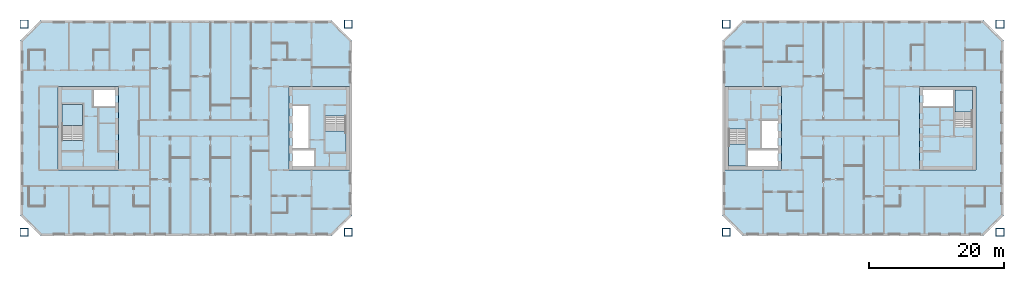
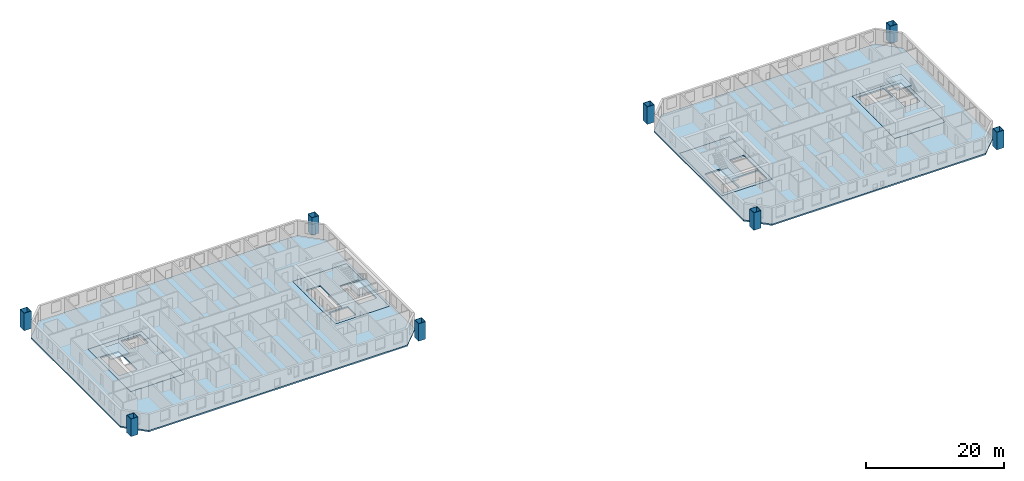
# One storey, part 1 of 16: 10 slabs, 8 columns, 4 elements without a shape of their own.
"""IFC4 building model written with IfcOpenShell, lengths in metres."""

from ifc_helpers import new_model, si_unit, direction, frame, origin, origin_2d, place, context, subcontext, project, spatial, polyline, hollow_rectangle, outline, extrude, material, layer, layer_set, material_profile, profile_set, type_object, element, aggregate, save


model = new_model("IFC4")

# Units and contexts
model_context = context("Model", 3, precision=1e-05, world=origin(), true_north=direction((0.0, 1.0)))
body_context = subcontext(model_context, "Body", "Model", "MODEL_VIEW")
ifc_project = project(units=[si_unit("LENGTHUNIT", "METRE"), si_unit("AREAUNIT", "SQUARE_METRE"), si_unit("VOLUMEUNIT", "CUBIC_METRE"), si_unit("PLANEANGLEUNIT", "RADIAN"), si_unit("MASSUNIT", "GRAM", prefix="KILO")], contexts=[model_context])

# Site, building, storey
site_placement = place(None, origin())
site = spatial("IfcSite", under=ifc_project, at=site_placement, CompositionType="ELEMENT")
building_placement = place(site_placement, origin())
building = spatial("IfcBuilding", under=site, at=building_placement, Name="Tuart Gate Housing", CompositionType="ELEMENT")
storey_placement = place(building_placement, frame((0.0, 0.0, 139.199951171875)))
storey = spatial("IfcBuildingStorey", under=building, at=storey_placement, Name="L39", CompositionType="ELEMENT", Elevation=139.199951171875)

# Columns
ifc_material_1 = material(Name="Steel Grade 350", Category="steel")
ifc_material_profile = material_profile(ifc_material_1, hollow_rectangle(XDim=1.199951171875, YDim=1.199951171875, WallThickness=0.06494140625, at=origin_2d()), Name="BOX 1200x1200x65")
ifc_profile_set = profile_set([ifc_material_profile], Name="Steel Grade 350")
column_type = type_object("IfcColumnType", Name="Mega column BOX 1200x1200x65", PredefinedType="COLUMN", material=ifc_profile_set)
for number, where, z_axis, x_axis, name in (
    (1, (27.300048828125, 54.550048828125, 0.0), (0.0, 0.0, 1.0), (1.0, 0.0, 0.0), "Mega column A south-west L39"),
    (2, (75.449951171875, 54.550048828125, 0.0), (0.0, 0.0, 1.0), (1.0, 0.0, 0.0), "Mega column A south-east L39"),
    (3, (75.449951171875, 85.449951171875, 0.0), (0.0, 0.0, 1.0), (1.0, 0.0, 0.0), "Mega column A north-east L39"),
    (4, (27.300048828125, 85.449951171875, 0.0), (0.0, 0.0, 1.0), (1.0, 0.0, 0.0), "Mega column A north-west L39"),
    (5, (131.550048828125, 54.550048828125, 0.0), (0.0, 0.0, 1.0), (1.0, 0.0, 0.0), "Mega column B south-west L39"),
    (6, (172.199951171875, 54.550048828125, 0.0), (0.0, 0.0, 1.0), (1.0, 0.0, 0.0), "Mega column B south-east L39"),
    (7, (172.199951171875, 85.449951171875, 0.0), (0.0, 0.0, 1.0), (1.0, 0.0, 0.0), "Mega column B north-east L39"),
    (8, (131.550048828125, 85.449951171875, 0.0), (0.0, 0.0, 1.0), (1.0, 0.0, 0.0), "Mega column B north-west L39"),
):
    element("IfcColumn", number, at=place(storey_placement, frame(where, z_axis=z_axis, x_axis=x_axis)), inside=storey, type_object=column_type, Name=name, PredefinedType="COLUMN", context=body_context, shape_type="SweptSolid", body=[
        extrude(hollow_rectangle(XDim=1.199951171875, YDim=1.199951171875, WallThickness=0.06494140625, at=origin_2d()), origin(), (0.0, 0.0, 1.0), 3.10009765625),
    ])

# Slabs
ifc_material_2 = material(Name="Concrete C40", Category="concrete")
ifc_layer_1 = layer(ifc_material_2, 0.25)
ifc_layer_set_1 = layer_set([ifc_layer_1], Name="Core floor slab 250")
slab_type_1 = type_object("IfcSlabType", Name="Core floor slab 250", PredefinedType="FLOOR", material=ifc_layer_set_1)
slab_1_placement = place(storey_placement, frame((0.0, 0.0, -0.25)))
element("IfcSlab", 9, at=slab_1_placement, inside=storey, type_object=slab_type_1, Name="Core floor AG", PredefinedType="FLOOR", context=body_context, shape_type="SweptSolid", body=[
    extrude(outline(polyline([(66.639892578125, 63.800048828125), (75.639892578125, 63.800048828125), (75.639892578125, 76.199951171875), (66.639892578125, 76.199951171875), (66.639892578125, 63.800048828125)]), holes=[polyline([(67.18994140625, 64.35009765625), (70.385009765625, 64.35009765625), (70.385009765625, 66.72509765625), (67.18994140625, 66.72509765625), (67.18994140625, 64.35009765625)]), polyline([(67.18994140625, 66.97509765625), (69.56494140625, 66.97509765625), (69.56494140625, 73.324951171875), (67.18994140625, 73.324951171875), (67.18994140625, 66.97509765625)]), polyline([(72.014892578125, 66.47509765625), (75.090087890625, 66.47509765625), (75.090087890625, 71.804931640625), (72.014892578125, 71.804931640625), (72.014892578125, 66.47509765625)])]), origin(), (0.0, 0.0, 1.0), 0.25),
])
slab_2_placement = place(storey_placement, frame((0.0, 0.0, -0.25)))
element("IfcSlab", 10, at=slab_2_placement, inside=storey, type_object=slab_type_1, Name="Core floor AK", PredefinedType="FLOOR", context=body_context, shape_type="SweptSolid", body=[
    extrude(outline(polyline([(32.360107421875, 63.800048828125), (41.360107421875, 63.800048828125), (41.360107421875, 76.199951171875), (32.360107421875, 76.199951171875), (32.360107421875, 63.800048828125)]), holes=[polyline([(40.81005859375, 75.64990234375), (37.614990234375, 75.64990234375), (37.614990234375, 73.27490234375), (40.81005859375, 73.27490234375), (40.81005859375, 75.64990234375)]), polyline([(35.985107421875, 73.52490234375), (32.909912109375, 73.52490234375), (32.909912109375, 68.195068359375), (35.985107421875, 68.195068359375), (35.985107421875, 73.52490234375)])]), origin(), (0.0, 0.0, 1.0), 0.25),
])
slab_3_placement = place(storey_placement, frame((0.0, 0.0, -0.25)))
element("IfcSlab", 11, at=slab_3_placement, inside=storey, type_object=slab_type_1, Name="Core floor BG", PredefinedType="FLOOR", context=body_context, shape_type="SweptSolid", body=[
    extrude(outline(polyline([(131.360107421875, 63.800048828125), (139.760009765625, 63.800048828125), (139.760009765625, 76.199951171875), (131.360107421875, 76.199951171875), (131.360107421875, 63.800048828125)]), holes=[polyline([(139.2099609375, 66.85009765625), (134.735107421875, 66.85009765625), (134.735107421875, 64.35009765625), (139.2099609375, 64.35009765625), (139.2099609375, 66.85009765625)]), polyline([(139.2099609375, 71.125), (136.8349609375, 71.125), (136.8349609375, 66.97509765625), (139.2099609375, 66.97509765625), (139.2099609375, 71.125)]), polyline([(134.485107421875, 69.85498046875), (131.909912109375, 69.85498046875), (131.909912109375, 64.35009765625), (134.485107421875, 64.35009765625), (134.485107421875, 69.85498046875)])]), origin(), (0.0, 0.0, 1.0), 0.25),
])
slab_4_placement = place(storey_placement, frame((0.0, 0.0, -0.25)))
element("IfcSlab", 12, at=slab_4_placement, inside=storey, type_object=slab_type_1, Name="Core floor BK", PredefinedType="FLOOR", context=body_context, shape_type="SweptSolid", body=[
    extrude(outline(polyline([(160.239990234375, 63.800048828125), (168.639892578125, 63.800048828125), (168.639892578125, 76.199951171875), (160.239990234375, 76.199951171875), (160.239990234375, 63.800048828125)]), holes=[polyline([(160.7900390625, 73.14990234375), (165.264892578125, 73.14990234375), (165.264892578125, 75.64990234375), (160.7900390625, 75.64990234375), (160.7900390625, 73.14990234375)]), polyline([(165.514892578125, 70.14501953125), (168.090087890625, 70.14501953125), (168.090087890625, 75.64990234375), (165.514892578125, 75.64990234375), (165.514892578125, 70.14501953125)])]), origin(), (0.0, 0.0, 1.0), 0.25),
])
ifc_material_3 = material(Name="Concrete C40", Category="concrete")
ifc_layer_2 = layer(ifc_material_3, 0.25)
ifc_layer_set_2 = layer_set([ifc_layer_2], Name="Flat plate 250")
slab_type_2 = type_object("IfcSlabType", Name="Flat plate 250", PredefinedType="FLOOR", material=ifc_layer_set_2)
slab_5_placement = place(storey_placement, frame((0.0, 0.0, -0.25)))
element("IfcSlab", 13, at=slab_5_placement, inside=storey, type_object=slab_type_2, Name="Floor slab A L39", PredefinedType="FLOOR", context=body_context, shape_type="SweptSolid", body=[
    extrude(outline(polyline([(29.75, 86.0), (26.75, 83.0), (26.75, 57.0), (29.75, 54.0), (73.0, 54.0), (76.0, 57.0), (76.0, 83.0), (73.0, 86.0), (29.75, 86.0)]), holes=[polyline([(66.639892578125, 76.199951171875), (75.639892578125, 76.199951171875), (75.639892578125, 63.800048828125), (66.639892578125, 63.800048828125), (66.639892578125, 76.199951171875)]), polyline([(41.360107421875, 76.199951171875), (41.360107421875, 63.800048828125), (32.360107421875, 63.800048828125), (32.360107421875, 76.199951171875), (41.360107421875, 76.199951171875)])]), origin(), (0.0, 0.0, 1.0), 0.25),
])
slab_6_placement = place(storey_placement, frame((0.0, 0.0, -0.25)))
element("IfcSlab", 14, at=slab_6_placement, inside=storey, type_object=slab_type_2, Name="Floor slab B L39", PredefinedType="FLOOR", context=body_context, shape_type="SweptSolid", body=[
    extrude(outline(polyline([(134.0, 86.0), (131.0, 83.0), (131.0, 57.0), (134.0, 54.0), (169.75, 54.0), (172.75, 57.0), (172.75, 83.0), (169.75, 86.0), (134.0, 86.0)]), holes=[polyline([(131.360107421875, 76.199951171875), (139.760009765625, 76.199951171875), (139.760009765625, 63.800048828125), (131.360107421875, 63.800048828125), (131.360107421875, 76.199951171875)]), polyline([(168.639892578125, 76.199951171875), (168.639892578125, 63.800048828125), (160.239990234375, 63.800048828125), (160.239990234375, 76.199951171875), (168.639892578125, 76.199951171875)])]), origin(), (0.0, 0.0, 1.0), 0.25),
])

# Stair, slab
ifc_material_4 = material(Name="Concrete C40", Category="concrete")
stair_type_1 = type_object("IfcStairType", Name="Core stair 1500", PredefinedType="HALF_TURN_STAIR", material=ifc_material_4)
stair_1_placement = place(storey_placement, origin())
stair_1 = element("IfcStair", 15, at=stair_1_placement, inside=storey, type_object=stair_type_1, Name="Stair SA1", PredefinedType="HALF_TURN_STAIR")
ifc_material_5 = material(Name="Concrete C40", Category="concrete")
ifc_layer_3 = layer(ifc_material_5, 0.199951171875)
ifc_layer_set_3 = layer_set([ifc_layer_3], Name="Stair landing 200")
slab_type_3 = type_object("IfcSlabType", Name="Stair landing 200", PredefinedType="LANDING", material=ifc_layer_set_3)
slab_7_placement = place(storey_placement, frame((0.0, 0.0, 1.35009765625)))
slab_7 = element("IfcSlab", 16, at=slab_7_placement, type_object=slab_type_3, Name="SA1 landing 1", PredefinedType="LANDING", context=body_context, shape_type="SweptSolid", body=[
    extrude(outline(polyline([(72.014892578125, 66.47509765625), (75.090087890625, 66.47509765625), (75.090087890625, 69.5849609375), (72.014892578125, 69.5849609375), (72.014892578125, 66.47509765625)])), origin(), (0.0, 0.0, 1.0), 0.199951171875),
])
aggregate(stair_1, [slab_7])

stair_2_placement = place(storey_placement, origin())
stair_2 = element("IfcStair", 17, at=stair_2_placement, inside=storey, type_object=stair_type_1, Name="Stair SA2", PredefinedType="HALF_TURN_STAIR")
slab_8_placement = place(storey_placement, frame((0.0, 0.0, 1.35009765625)))
slab_8 = element("IfcSlab", 18, at=slab_8_placement, type_object=slab_type_3, Name="SA2 landing 1", PredefinedType="LANDING", context=body_context, shape_type="SweptSolid", body=[
    extrude(outline(polyline([(35.985107421875, 73.52490234375), (32.909912109375, 73.52490234375), (32.909912109375, 70.4150390625), (35.985107421875, 70.4150390625), (35.985107421875, 73.52490234375)])), origin(), (0.0, 0.0, 1.0), 0.199951171875),
])
aggregate(stair_2, [slab_8])

ifc_material_6 = material(Name="Concrete C40", Category="concrete")
stair_type_2 = type_object("IfcStairType", Name="Core stair 1250", PredefinedType="HALF_TURN_STAIR", material=ifc_material_6)
stair_3_placement = place(storey_placement, origin())
stair_3 = element("IfcStair", 19, at=stair_3_placement, inside=storey, type_object=stair_type_2, Name="Stair SB1", PredefinedType="HALF_TURN_STAIR")
slab_9_placement = place(storey_placement, frame((0.0, 0.0, 1.35009765625)))
slab_9 = element("IfcSlab", 20, at=slab_9_placement, type_object=slab_type_3, Name="SB1 landing 1", PredefinedType="LANDING", context=body_context, shape_type="SweptSolid", body=[
    extrude(outline(polyline([(134.485107421875, 67.635009765625), (131.909912109375, 67.635009765625), (131.909912109375, 64.35009765625), (134.485107421875, 64.35009765625), (134.485107421875, 67.635009765625)])), origin(), (0.0, 0.0, 1.0), 0.199951171875),
])
aggregate(stair_3, [slab_9])

stair_4_placement = place(storey_placement, origin())
stair_4 = element("IfcStair", 21, at=stair_4_placement, inside=storey, type_object=stair_type_2, Name="Stair SB2", PredefinedType="HALF_TURN_STAIR")
slab_10_placement = place(storey_placement, frame((0.0, 0.0, 1.35009765625)))
slab_10 = element("IfcSlab", 22, at=slab_10_placement, type_object=slab_type_3, Name="SB2 landing 1", PredefinedType="LANDING", context=body_context, shape_type="SweptSolid", body=[
    extrude(outline(polyline([(165.514892578125, 72.364990234375), (168.090087890625, 72.364990234375), (168.090087890625, 75.64990234375), (165.514892578125, 75.64990234375), (165.514892578125, 72.364990234375)])), origin(), (0.0, 0.0, 1.0), 0.199951171875),
])
aggregate(stair_4, [slab_10])

save(model, "model.ifc")
